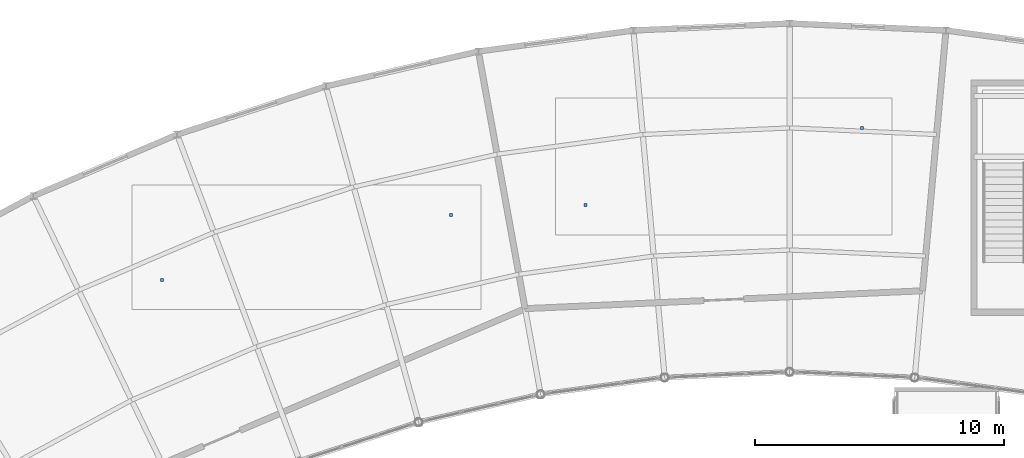
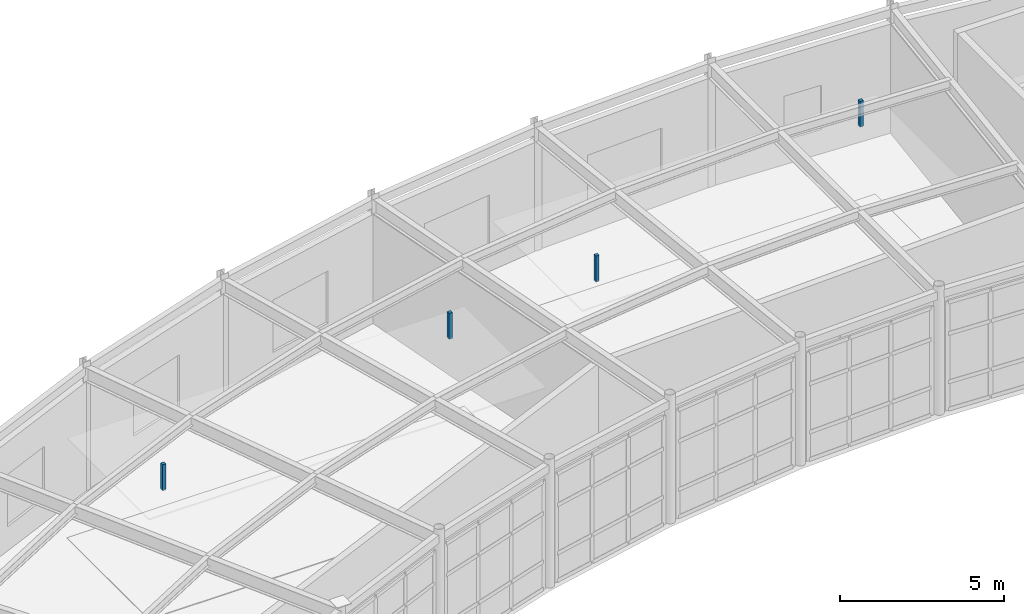
# One storey, part 95 of 105: 4 discrete accessories.
"""IFC4 building model written with IfcOpenShell, lengths in metres."""

from ifc_helpers import new_model, si_unit, direction, frame, origin, origin_2d, place, context, subcontext, project, spatial, rectangle, extrude, material, type_object, element, save


model = new_model("IFC4")

# Units and contexts
model_context = context("Model", 3, precision=1e-05, world=origin(), true_north=direction((0.0, 1.0)))
body_context = subcontext(model_context, "Body", "Model", "MODEL_VIEW")
ifc_project = project(units=[si_unit("LENGTHUNIT", "METRE"), si_unit("AREAUNIT", "SQUARE_METRE"), si_unit("VOLUMEUNIT", "CUBIC_METRE"), si_unit("PLANEANGLEUNIT", "RADIAN"), si_unit("MASSUNIT", "GRAM", prefix="KILO")], contexts=[model_context])

# Site, building, storey
site_placement = place(None, origin())
site = spatial("IfcSite", under=ifc_project, at=site_placement, CompositionType="ELEMENT")
building_placement = place(site_placement, origin())
building = spatial("IfcBuilding", under=site, at=building_placement, Name="Selat Folded Stagehouse", CompositionType="ELEMENT")
storey_placement = place(building_placement, frame((0.0, 0.0, 10.199951171875)))
storey = spatial("IfcBuildingStorey", under=building, at=storey_placement, Name="L02", CompositionType="ELEMENT", Elevation=10.199951171875)

# Discrete accessories
ifc_material = material(Name="Galvanised steel acoustic hanger rod", Category="steel")
discrete_accessory_type = type_object("IfcDiscreteAccessoryType", Name="ACC-HGR-960", PredefinedType="BRACKET", material=ifc_material)
for number, where, z_axis, x_axis, name in (
    (1, (67.199951171875, 97.699951171875, 3.719970703125), (0.0, 0.0, 1.0), (1.0, 0.0, 0.0), "L02 acoustic ceiling hanger CLG-L02-REH-1"),
    (2, (78.800048828125, 100.300048828125, 3.719970703125), (0.0, 0.0, 1.0), (1.0, 0.0, 0.0), "L02 acoustic ceiling hanger CLG-L02-REH-2"),
    (3, (84.199951171875, 100.699951171875, 3.719970703125), (0.0, 0.0, 1.0), (1.0, 0.0, 0.0), "L02 acoustic ceiling hanger CLG-L02-DNC-1"),
    (4, (95.300048828125, 103.800048828125, 3.719970703125), (0.0, 0.0, 1.0), (1.0, 0.0, 0.0), "L02 acoustic ceiling hanger CLG-L02-DNC-2"),
):
    element("IfcDiscreteAccessory", number, at=place(storey_placement, frame(where, z_axis=z_axis, x_axis=x_axis)), inside=storey, type_object=discrete_accessory_type, Name=name, PredefinedType="BRACKET", context=body_context, shape_type="SweptSolid", body=[
        extrude(rectangle(XDim=0.1201171875, YDim=0.1201171875, at=origin_2d()), origin(), (0.0, 0.0, 1.0), 0.9599609375),
    ])

save(model, "model.ifc")
